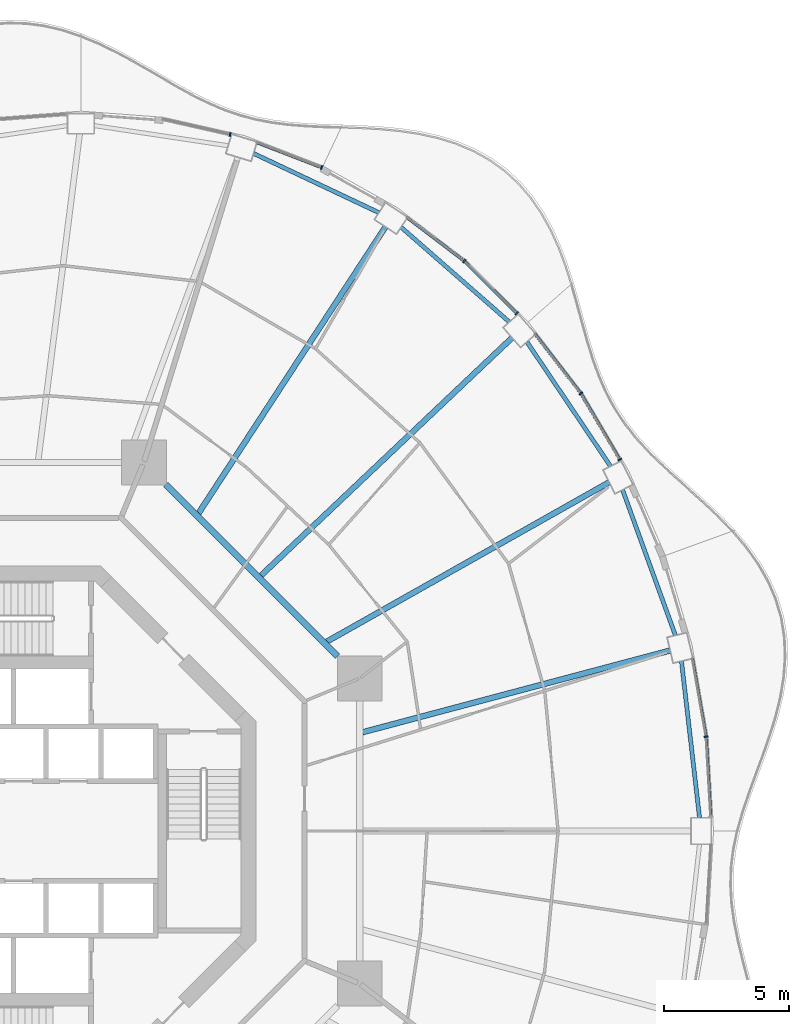
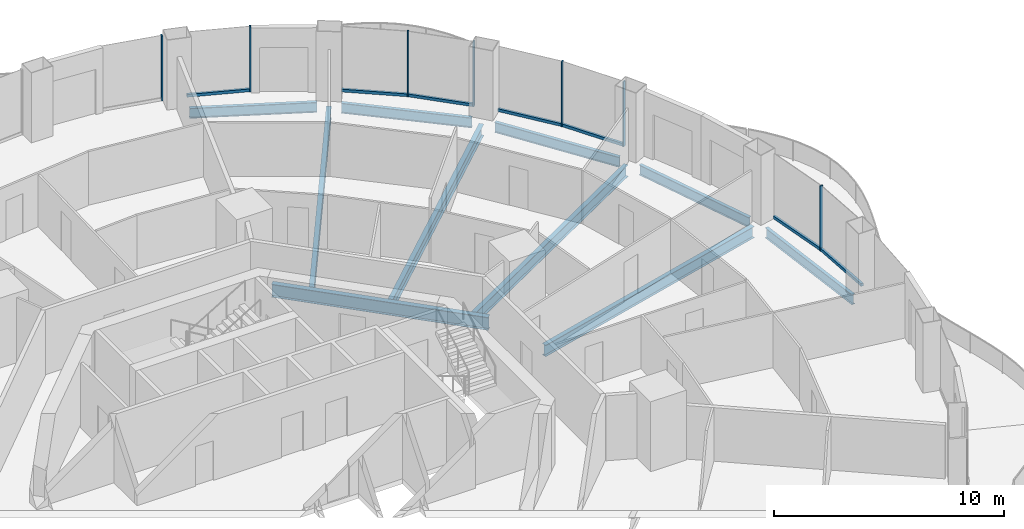
# One storey, part 8 of 19: 14 members, 10 beams, 8 elements without a shape of their own.
"""IFC4 building model written with IfcOpenShell, lengths in metres."""

from ifc_helpers import new_model, si_unit, direction, frame, origin, origin_2d, place, context, subcontext, project, spatial, rectangle, i_section, extrude, material, layer, layer_set, material_profile, profile_set, type_object, element, aggregate, save


model = new_model("IFC4")

# Units and contexts
model_context = context("Model", 3, precision=1e-05, world=origin(), true_north=direction((0.0, 1.0)))
body_context = subcontext(model_context, "Body", "Model", "MODEL_VIEW")
ifc_project = project(units=[si_unit("LENGTHUNIT", "METRE"), si_unit("AREAUNIT", "SQUARE_METRE"), si_unit("VOLUMEUNIT", "CUBIC_METRE"), si_unit("PLANEANGLEUNIT", "RADIAN"), si_unit("MASSUNIT", "GRAM", prefix="KILO")], contexts=[model_context])

# Site, building, storey
site_placement = place(None, origin())
site = spatial("IfcSite", under=ifc_project, at=site_placement, CompositionType="ELEMENT")
building_placement = place(site_placement, origin())
building = spatial("IfcBuilding", under=site, at=building_placement, Name="Nagisa Residences", CompositionType="ELEMENT")
storey_placement = place(building_placement, frame((0.0, 0.0, 169.60009765625)))
storey = spatial("IfcBuildingStorey", under=building, at=storey_placement, Name="L42", CompositionType="ELEMENT", Elevation=169.60009765625)

# Curtain wall, member
ifc_material_1 = material(Name="Concrete-coloured aluminium curtain wall system", Category="concrete")
ifc_layer = layer(ifc_material_1, 0.159912109375)
ifc_layer_set = layer_set([ifc_layer], Name="CW1 CURTAIN WALL")
curtain_wall_type = type_object("IfcCurtainWallType", Name="CW1 CURTAIN WALL", PredefinedType="NOTDEFINED", material=ifc_layer_set)
curtain_wall_1_placement = place(storey_placement, origin())
curtain_wall_1 = element("IfcCurtainWall", 1, at=curtain_wall_1_placement, inside=storey, type_object=curtain_wall_type, Name="cw:CW1:L42:01", PredefinedType="NOTDEFINED")
ifc_material_2 = material(Name="Concrete-coloured aluminium", Category="concrete")
ifc_material_profile_1 = material_profile(ifc_material_2, rectangle(XDim=0.159912109375, YDim=0.06005859375, at=origin_2d()), Name="CW1 MULLION 160x60")
ifc_profile_set_1 = profile_set([ifc_material_profile_1], Name="Concrete-coloured aluminium")
member_type_1 = type_object("IfcMemberType", Name="CW1 MULLION 160x60", PredefinedType="MULLION", material=ifc_profile_set_1)
member_1_placement = place(storey_placement, frame((28.673828125, 3.78466796875, 0.0), z_axis=(0.0, 0.0, 1.0), x_axis=(-0.985063604377, -0.172190868898, 0.0)))
member_1 = element("IfcMember", 2, at=member_1_placement, type_object=member_type_1, Name="CW1 mullion", PredefinedType="MULLION", context=body_context, shape_type="SweptSolid", body=[
    extrude(rectangle(XDim=0.159912109375, YDim=0.06005859375, at=origin_2d()), origin(), (0.0, 0.0, 1.0), 3.43994140625),
])

curtain_wall_2_placement = place(storey_placement, origin())
curtain_wall_2 = element("IfcCurtainWall", 3, at=curtain_wall_2_placement, inside=storey, type_object=curtain_wall_type, Name="cw:CW1:L42:04", PredefinedType="NOTDEFINED")
member_2_placement = place(storey_placement, frame((25.212646484375, 14.897216796875, 0.0), z_axis=(0.0, 0.0, 1.0), x_axis=(-0.862328898214, -0.506348567002, 0.0)))
member_2 = element("IfcMember", 4, at=member_2_placement, type_object=member_type_1, Name="CW1 mullion", PredefinedType="MULLION", context=body_context, shape_type="SweptSolid", body=[
    extrude(rectangle(XDim=0.159912109375, YDim=0.06005859375, at=origin_2d()), origin(), (0.0, 0.0, 1.0), 3.43994140625),
])

curtain_wall_3_placement = place(storey_placement, origin())
curtain_wall_3 = element("IfcCurtainWall", 5, at=curtain_wall_3_placement, inside=storey, type_object=curtain_wall_type, Name="cw:CW1:L42:05", PredefinedType="NOTDEFINED")
member_3_placement = place(storey_placement, frame((23.649658203125, 17.552978515625, 0.0), z_axis=(0.0, 0.0, 1.0), x_axis=(-0.792070340816, -0.610429828235, 0.0)))
member_3 = element("IfcMember", 6, at=member_3_placement, type_object=member_type_1, Name="CW1 mullion", PredefinedType="MULLION", context=body_context, shape_type="SweptSolid", body=[
    extrude(rectangle(XDim=0.159912109375, YDim=0.06005859375, at=origin_2d()), origin(), (0.0, 0.0, 1.0), 3.43994140625),
])

curtain_wall_4_placement = place(storey_placement, origin())
curtain_wall_4 = element("IfcCurtainWall", 7, at=curtain_wall_4_placement, inside=storey, type_object=curtain_wall_type, Name="cw:CW1:L42:06", PredefinedType="NOTDEFINED")
member_4_placement = place(storey_placement, frame((21.07568359375, 20.770751953125, 0.0), z_axis=(0.0, 0.0, 1.0), x_axis=(-0.706376885714, -0.707835924016, 0.0)))
member_4 = element("IfcMember", 8, at=member_4_placement, type_object=member_type_1, Name="CW1 mullion", PredefinedType="MULLION", context=body_context, shape_type="SweptSolid", body=[
    extrude(rectangle(XDim=0.159912109375, YDim=0.06005859375, at=origin_2d()), origin(), (0.0, 0.0, 1.0), 3.43994140625),
])

curtain_wall_5_placement = place(storey_placement, origin())
curtain_wall_5 = element("IfcCurtainWall", 9, at=curtain_wall_5_placement, inside=storey, type_object=curtain_wall_type, Name="cw:CW1:L42:07", PredefinedType="NOTDEFINED")
member_5_placement = place(storey_placement, frame((18.97509765625, 22.862548828125, 0.0), z_axis=(0.0, 0.0, 1.0), x_axis=(-0.605255421737, -0.79603132756, 0.0)))
member_5 = element("IfcMember", 10, at=member_5_placement, type_object=member_type_1, Name="CW1 mullion", PredefinedType="MULLION", context=body_context, shape_type="SweptSolid", body=[
    extrude(rectangle(XDim=0.159912109375, YDim=0.06005859375, at=origin_2d()), origin(), (0.0, 0.0, 1.0), 3.43994140625),
])

curtain_wall_6_placement = place(storey_placement, origin())
curtain_wall_6 = element("IfcCurtainWall", 11, at=curtain_wall_6_placement, inside=storey, type_object=curtain_wall_type, Name="cw:CW1:L42:09", PredefinedType="NOTDEFINED")
member_6_placement = place(storey_placement, frame((13.253662109375, 26.61328125, 0.0), z_axis=(0.0, 0.0, 1.0), x_axis=(-0.360327770268, -0.932825759707, 0.0)))
member_6 = element("IfcMember", 12, at=member_6_placement, type_object=member_type_1, Name="CW1 mullion", PredefinedType="MULLION", context=body_context, shape_type="SweptSolid", body=[
    extrude(rectangle(XDim=0.159912109375, YDim=0.06005859375, at=origin_2d()), origin(), (0.0, 0.0, 1.0), 3.43994140625),
])

curtain_wall_7_placement = place(storey_placement, origin())
curtain_wall_7 = element("IfcCurtainWall", 13, at=curtain_wall_7_placement, inside=storey, type_object=curtain_wall_type, Name="cw:CW1:L42:10", PredefinedType="NOTDEFINED")
member_7_placement = place(storey_placement, frame((9.584228515625, 27.941162109375, 0.0), z_axis=(0.0, 0.0, 1.0), x_axis=(-0.2207639201, -0.975327274089, 0.0)))
member_7 = element("IfcMember", 14, at=member_7_placement, type_object=member_type_1, Name="CW1 mullion", PredefinedType="MULLION", context=body_context, shape_type="SweptSolid", body=[
    extrude(rectangle(XDim=0.159912109375, YDim=0.06005859375, at=origin_2d()), origin(), (0.0, 0.0, 1.0), 3.43994140625),
])
aggregate(curtain_wall_7, [member_7])

curtain_wall_8_placement = place(storey_placement, origin())
curtain_wall_8 = element("IfcCurtainWall", 15, at=curtain_wall_8_placement, inside=storey, type_object=curtain_wall_type, Name="cw:CW1:L42:00", PredefinedType="NOTDEFINED")
ifc_material_3 = material(Name="Concrete-coloured aluminium", Category="concrete")
ifc_material_profile_2 = material_profile(ifc_material_3, rectangle(XDim=0.1201171875, YDim=0.14990234375, at=origin_2d()), Name="CW1 TRANSOM 120x150")
ifc_profile_set_2 = profile_set([ifc_material_profile_2], Name="Concrete-coloured aluminium")
member_type_2 = type_object("IfcMemberType", Name="CW1 TRANSOM 120x150", PredefinedType="USERDEFINED", material=ifc_profile_set_2)
member_8_placement = place(storey_placement, frame((28.863525390625, 0.54443359375, 0.074951171875), z_axis=(-0.057528345118, 0.998343873376, 0.0), x_axis=(-0.998343873376, -0.057528345118, 0.0)))
member_8 = element("IfcMember", 16, at=member_8_placement, type_object=member_type_2, Name="CW1 transom", ObjectType="TRANSOM", PredefinedType="USERDEFINED", context=body_context, shape_type="SweptSolid", body=[
    extrude(rectangle(XDim=0.1201171875, YDim=0.14990234375, at=origin_2d()), origin(), (0.0, 0.0, 1.0), 3.225341796875),
])
aggregate(curtain_wall_8, [member_8])

# Member
member_9_placement = place(storey_placement, frame((28.67919921875, 3.755126953125, 0.074951171875), z_axis=(-0.172236453102, 0.98505563509, 0.0), x_axis=(-0.98505563509, -0.172236453102, 0.0)))
member_9 = element("IfcMember", 17, at=member_9_placement, type_object=member_type_2, Name="CW1 transom", ObjectType="TRANSOM", PredefinedType="USERDEFINED", context=body_context, shape_type="SweptSolid", body=[
    extrude(rectangle(XDim=0.1201171875, YDim=0.14990234375, at=origin_2d()), origin(), (0.0, 0.0, 1.0), 3.210693359375),
])

aggregate(curtain_wall_1, [member_1, member_9])

member_10_placement = place(storey_placement, frame((25.22802734375, 14.871337890625, 0.074951171875), z_axis=(-0.506367803691, 0.862317602386, 0.0), x_axis=(-0.862317602386, -0.506367803691, 0.0)))
member_10 = element("IfcMember", 18, at=member_10_placement, type_object=member_type_2, Name="CW1 transom", ObjectType="TRANSOM", PredefinedType="USERDEFINED", context=body_context, shape_type="SweptSolid", body=[
    extrude(rectangle(XDim=0.1201171875, YDim=0.14990234375, at=origin_2d()), origin(), (0.0, 0.0, 1.0), 3.092041015625),
])

aggregate(curtain_wall_2, [member_2, member_10])

member_11_placement = place(storey_placement, frame((23.66796875, 17.529052734375, 0.074951171875), z_axis=(-0.610398538814, 0.792094453846, 0.0), x_axis=(-0.792094453846, -0.610398538814, 0.0)))
member_11 = element("IfcMember", 19, at=member_11_placement, type_object=member_type_2, Name="CW1 transom", ObjectType="TRANSOM", PredefinedType="USERDEFINED", context=body_context, shape_type="SweptSolid", body=[
    extrude(rectangle(XDim=0.1201171875, YDim=0.14990234375, at=origin_2d()), origin(), (0.0, 0.0, 1.0), 3.035400390625),
])

aggregate(curtain_wall_3, [member_3, member_11])

member_12_placement = place(storey_placement, frame((21.096923828125, 20.74951171875, 0.074951171875), z_axis=(-0.707803821372, 0.706409053206, 0.0), x_axis=(-0.706409053206, -0.707803821372, 0.0)))
member_12 = element("IfcMember", 20, at=member_12_placement, type_object=member_type_2, Name="CW1 transom", ObjectType="TRANSOM", PredefinedType="USERDEFINED", context=body_context, shape_type="SweptSolid", body=[
    extrude(rectangle(XDim=0.1201171875, YDim=0.14990234375, at=origin_2d()), origin(), (0.0, 0.0, 1.0), 2.9755859375),
])

aggregate(curtain_wall_4, [member_4, member_12])

member_13_placement = place(storey_placement, frame((18.998779296875, 22.844482421875, 0.074951171875), z_axis=(-0.796025072301, 0.60526364856, 0.0), x_axis=(-0.60526364856, -0.796025072301, 0.0)))
member_13 = element("IfcMember", 21, at=member_13_placement, type_object=member_type_2, Name="CW1 transom", ObjectType="TRANSOM", PredefinedType="USERDEFINED", context=body_context, shape_type="SweptSolid", body=[
    extrude(rectangle(XDim=0.1201171875, YDim=0.14990234375, at=origin_2d()), origin(), (0.0, 0.0, 1.0), 2.916748046875),
])

aggregate(curtain_wall_5, [member_5, member_13])

member_14_placement = place(storey_placement, frame((13.28173828125, 26.602294921875, 0.074951171875), z_axis=(-0.932795487898, 0.360406128911, 0.0), x_axis=(-0.360406128911, -0.932795487898, 0.0)))
member_14 = element("IfcMember", 22, at=member_14_placement, type_object=member_type_2, Name="CW1 transom", ObjectType="TRANSOM", PredefinedType="USERDEFINED", context=body_context, shape_type="SweptSolid", body=[
    extrude(rectangle(XDim=0.1201171875, YDim=0.14990234375, at=origin_2d()), origin(), (0.0, 0.0, 1.0), 2.8193359375),
])

aggregate(curtain_wall_6, [member_6, member_14])

# Beams
ifc_material_4 = material(Name="Steel ASTM A572 Gr 50", Category="steel")
ifc_material_profile_3 = material_profile(ifc_material_4, i_section(OverallWidth=0.25390625, OverallDepth=0.68408203125, WebThickness=0.012451171875, FlangeThickness=0.018798828125, at=origin_2d()), Name="W690x140")
ifc_profile_set_3 = profile_set([ifc_material_profile_3], Name="Steel ASTM A572 Gr 50")
beam_type_1 = type_object("IfcBeamType", Name="Inner ring beam W690x140", PredefinedType="BEAM", material=ifc_profile_set_3)
beam_1_placement = place(storey_placement, frame((13.896240234375, 7.0087890625, -0.60205078125), z_axis=(-0.707106781187, 0.707106781187, 0.0), x_axis=(-0.707106781187, -0.707106781187, 0.0)))
element("IfcBeam", 23, at=beam_1_placement, inside=storey, type_object=beam_type_1, Name="beam:L42:ib1", PredefinedType="BEAM", context=body_context, shape_type="SweptSolid", body=[
    extrude(i_section(OverallWidth=0.25390625, OverallDepth=0.68408203125, WebThickness=0.012451171875, FlangeThickness=0.018798828125, at=origin_2d()), origin(), (0.0, 0.0, 1.0), 9.740234375),
])
ifc_material_5 = material(Name="Steel ASTM A572 Gr 50", Category="steel")
ifc_material_profile_4 = material_profile(ifc_material_5, i_section(OverallWidth=0.166015625, OverallDepth=0.534912109375, WebThickness=0.01025390625, FlangeThickness=0.0166015625, at=origin_2d()), Name="W530x85")
ifc_profile_set_4 = profile_set([ifc_material_profile_4], Name="Steel ASTM A572 Gr 50")
beam_type_2 = type_object("IfcBeamType", Name="Perimeter ring beam W530x85", PredefinedType="BEAM", material=ifc_profile_set_4)
beam_2_placement = place(storey_placement, frame((28.413818359375, 0.530029296875, -0.527587890625), z_axis=(-0.11463289794, 0.993407921606, 0.0), x_axis=(-0.993407921606, -0.11463289794, 0.0)))
element("IfcBeam", 24, at=beam_2_placement, inside=storey, type_object=beam_type_2, Name="beam:L42:pb01", PredefinedType="BEAM", context=body_context, shape_type="SweptSolid", body=[
    extrude(i_section(OverallWidth=0.166015625, OverallDepth=0.534912109375, WebThickness=0.01025390625, FlangeThickness=0.0166015625, at=origin_2d()), origin(), (0.0, 0.0, 1.0), 6.325439453125),
])
beam_3_placement = place(storey_placement, frame((27.4453125, 7.845703125, -0.527587890625), z_axis=(-0.341320243926, 0.939947068237, 0.0), x_axis=(-0.939947068237, -0.341320243926, 0.0)))
element("IfcBeam", 25, at=beam_3_placement, inside=storey, type_object=beam_type_2, Name="beam:L42:pb02", PredefinedType="BEAM", context=body_context, shape_type="SweptSolid", body=[
    extrude(i_section(OverallWidth=0.166015625, OverallDepth=0.534912109375, WebThickness=0.01025390625, FlangeThickness=0.0166015625, at=origin_2d()), origin(), (0.0, 0.0, 1.0), 6.212890625),
])
beam_4_placement = place(storey_placement, frame((24.84423828125, 14.630615234375, -0.527587890625), z_axis=(-0.558152301307, 0.829738518177, 0.0), x_axis=(-0.829738518177, -0.558152301307, 0.0)))
element("IfcBeam", 26, at=beam_4_placement, inside=storey, type_object=beam_type_2, Name="beam:L42:pb03", PredefinedType="BEAM", context=body_context, shape_type="SweptSolid", body=[
    extrude(i_section(OverallWidth=0.166015625, OverallDepth=0.534912109375, WebThickness=0.01025390625, FlangeThickness=0.0166015625, at=origin_2d()), origin(), (0.0, 0.0, 1.0), 6.013916015625),
])
beam_5_placement = place(storey_placement, frame((20.786865234375, 20.416259765625, -0.527587890625), z_axis=(-0.752461486776, 0.658636250838, 0.0), x_axis=(-0.658636250838, -0.752461486776, 0.0)))
element("IfcBeam", 27, at=beam_5_placement, inside=storey, type_object=beam_type_2, Name="beam:L42:pb04", PredefinedType="BEAM", context=body_context, shape_type="SweptSolid", body=[
    extrude(i_section(OverallWidth=0.166015625, OverallDepth=0.534912109375, WebThickness=0.01025390625, FlangeThickness=0.0166015625, at=origin_2d()), origin(), (0.0, 0.0, 1.0), 5.776611328125),
])
beam_6_placement = place(storey_placement, frame((15.553466796875, 24.80224609375, -0.527587890625), z_axis=(-0.904157325884, 0.427199637232, 0.0), x_axis=(-0.427199637232, -0.904157325884, 0.0)))
element("IfcBeam", 28, at=beam_6_placement, inside=storey, type_object=beam_type_2, Name="beam:L42:pb05", PredefinedType="BEAM", context=body_context, shape_type="SweptSolid", body=[
    extrude(i_section(OverallWidth=0.166015625, OverallDepth=0.534912109375, WebThickness=0.01025390625, FlangeThickness=0.0166015625, at=origin_2d()), origin(), (0.0, 0.0, 1.0), 5.56396484375),
])
ifc_material_6 = material(Name="Steel ASTM A572 Gr 50", Category="steel")
ifc_material_profile_5 = material_profile(ifc_material_6, i_section(OverallWidth=0.22802734375, OverallDepth=0.60302734375, WebThickness=0.010498046875, FlangeThickness=0.014892578125, at=origin_2d()), Name="W610x101")
ifc_profile_set_5 = profile_set([ifc_material_profile_5], Name="Steel ASTM A572 Gr 50")
beam_type_3 = type_object("IfcBeamType", Name="Radial beam W610x101", PredefinedType="BEAM", material=ifc_profile_set_5)
beam_7_placement = place(storey_placement, frame((27.23583984375, 7.239990234375, -0.5615234375), z_axis=(-0.966436061719, -0.256907256826, 0.0), x_axis=(0.256907256826, -0.966436061719, 0.0)))
element("IfcBeam", 29, at=beam_7_placement, inside=storey, type_object=beam_type_3, Name="beam:L42:rb02", PredefinedType="BEAM", context=body_context, shape_type="SweptSolid", body=[
    extrude(i_section(OverallWidth=0.22802734375, OverallDepth=0.60302734375, WebThickness=0.010498046875, FlangeThickness=0.014892578125, at=origin_2d()), origin(), (0.0, 0.0, 1.0), 12.77490234375),
])
beam_8_placement = place(storey_placement, frame((24.789306640625, 13.98828125, -0.5615234375), z_axis=(-0.870904520395, -0.491452252366, 0.0), x_axis=(0.491452252366, -0.870904520395, 0.0)))
element("IfcBeam", 30, at=beam_8_placement, inside=storey, type_object=beam_type_3, Name="beam:L42:rb03", PredefinedType="BEAM", context=body_context, shape_type="SweptSolid", body=[
    extrude(i_section(OverallWidth=0.22802734375, OverallDepth=0.60302734375, WebThickness=0.010498046875, FlangeThickness=0.014892578125, at=origin_2d()), origin(), (0.0, 0.0, 1.0), 13.007080078125),
])
beam_9_placement = place(storey_placement, frame((20.89501953125, 19.785400390625, -0.5615234375), z_axis=(-0.726119962477, -0.687568033064, 0.0), x_axis=(0.687568033064, -0.726119962477, 0.0)))
element("IfcBeam", 31, at=beam_9_placement, inside=storey, type_object=beam_type_3, Name="beam:L42:rb04", PredefinedType="BEAM", context=body_context, shape_type="SweptSolid", body=[
    extrude(i_section(OverallWidth=0.22802734375, OverallDepth=0.60302734375, WebThickness=0.010498046875, FlangeThickness=0.014892578125, at=origin_2d()), origin(), (0.0, 0.0, 1.0), 13.88134765625),
])
beam_10_placement = place(storey_placement, frame((15.816162109375, 24.234375, -0.5615234375), z_axis=(-0.546541244511, -0.837432187135, 0.0), x_axis=(0.837432187135, -0.546541244511, 0.0)))
element("IfcBeam", 32, at=beam_10_placement, inside=storey, type_object=beam_type_3, Name="beam:L42:rb05", PredefinedType="BEAM", context=body_context, shape_type="SweptSolid", body=[
    extrude(i_section(OverallWidth=0.22802734375, OverallDepth=0.60302734375, WebThickness=0.010498046875, FlangeThickness=0.014892578125, at=origin_2d()), origin(), (0.0, 0.0, 1.0), 13.72412109375),
])

save(model, "model.ifc")
